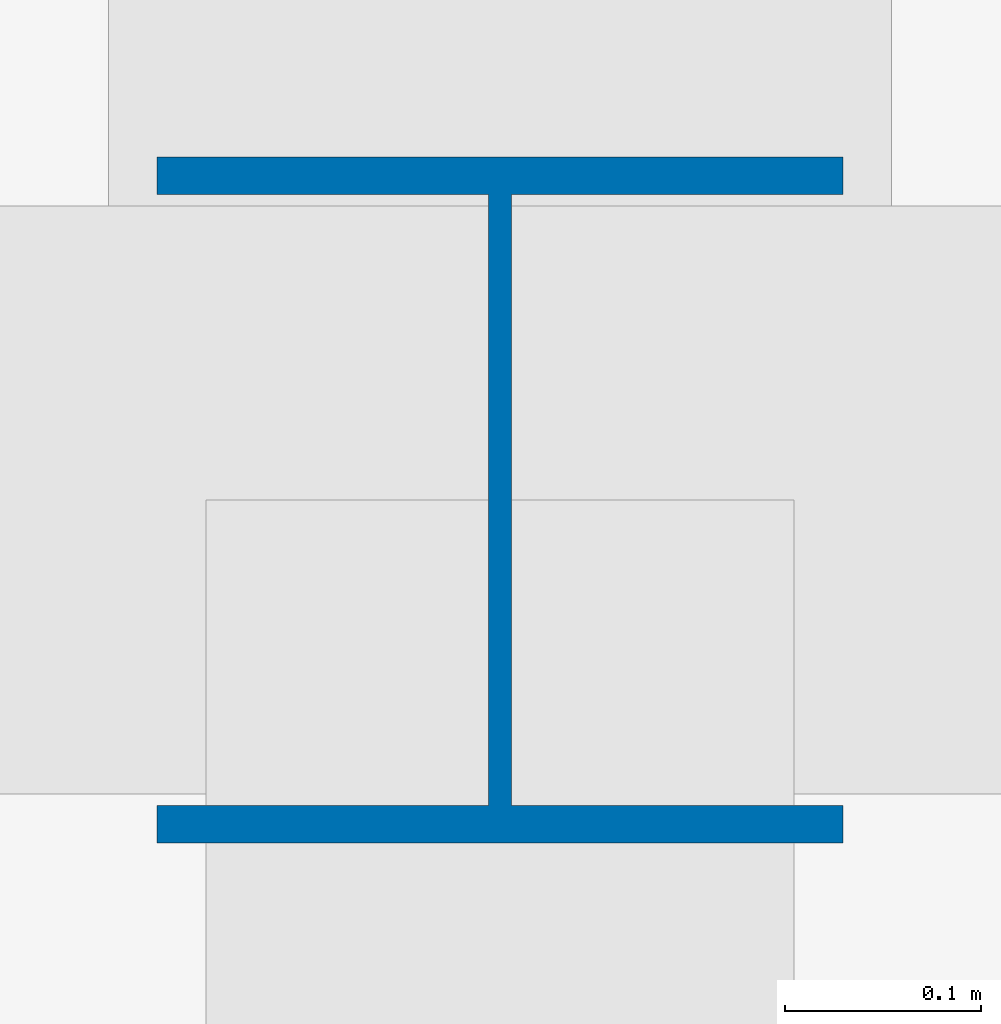
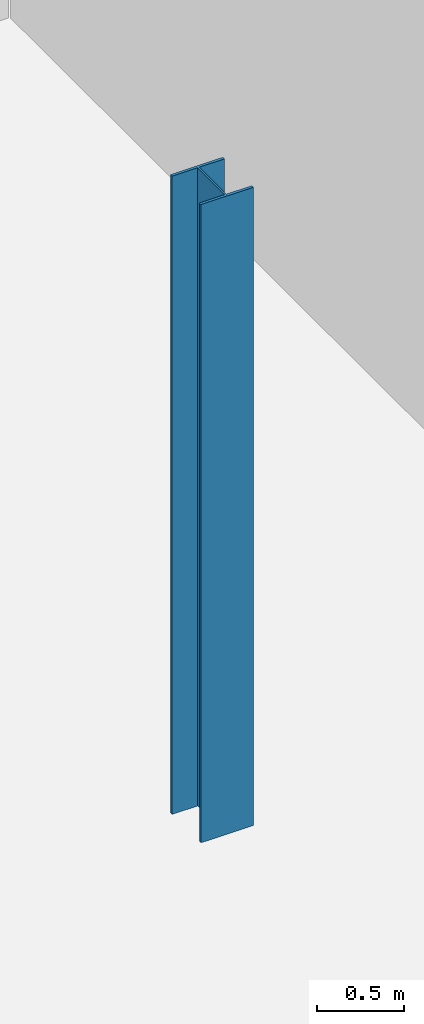
# One storey, part 2 of 25: 1 column.
"""IFC4 building model written with IfcOpenShell, lengths in metres."""

import ifcopenshell
import ifcopenshell.guid

model = None  # the IFC model being written
_history = None  # IfcOwnerHistory: only IFC2X3 demands one
_inside = {}  # id of a spatial element -> (the spatial element, [elements in it])
_under = {}  # id of a project, library or spatial element -> (it, [spatial elements below it])
_declared = {}  # id of a project -> (the project, [libraries it declares])
_typed = {}  # id of a type object -> (the type object, [elements of that type])
_made_of = {}  # id of a material, layer set ... -> (it, [elements and type objects made of it])


def new_model(schema):
    """Start an empty IFC model of exactly this schema.

    Asked for "IFC4X3", IfcOpenShell would pick the latest addendum, in which some entities
    have other attributes; the version numbers below select the first issue.
    IFC2X3 requires an IfcOwnerHistory on every rooted entity: one is made here for all.
    """
    global model, _history
    if schema == "IFC4X3":
        model = ifcopenshell.file(schema_version=(4, 3, 0, 0))
    else:
        model = ifcopenshell.file(schema=schema)
    _inside.clear()
    _under.clear()
    _declared.clear()
    _typed.clear()
    _made_of.clear()
    _history = None
    if model.schema == "IFC2X3":
        org = make("IfcOrganization", Name="unknown")
        user = make(
            "IfcPersonAndOrganization",
            ThePerson=make("IfcPerson", FamilyName="unknown"),
            TheOrganization=org,
        )
        app = make(
            "IfcApplication",
            ApplicationDeveloper=org,
            Version="unknown",
            ApplicationFullName="unknown",
            ApplicationIdentifier="unknown",
        )
        _history = make(
            "IfcOwnerHistory",
            OwningUser=user,
            OwningApplication=app,
            ChangeAction="ADDED",
            CreationDate=0,
        )
    return model


def make(cls, **values):
    """One entity of the class cls with the attributes given. An attribute that is None is left unset."""
    return model.create_entity(
        cls, **{name: value for name, value in values.items() if value is not None}
    )


def rooted(cls, **values):
    """An entity with a GlobalId (a new one), such as an element, a storey or a relation."""
    return make(cls, GlobalId=ifcopenshell.guid.new(), OwnerHistory=_history, **values)


def si_unit(unit_type, name, prefix=None):
    """IfcSIUnit, for example si_unit("LENGTHUNIT", "METRE", prefix="MILLI")."""
    return make("IfcSIUnit", UnitType=unit_type, Prefix=prefix, Name=name)


def assignment(units):
    """IfcUnitAssignment: the units of a project."""
    return None if units is None else make("IfcUnitAssignment", Units=units)


def point(xyz):
    """IfcCartesianPoint."""
    return None if xyz is None else make("IfcCartesianPoint", Coordinates=xyz)


def direction(xyz):
    """IfcDirection."""
    return None if xyz is None else make("IfcDirection", DirectionRatios=xyz)


def frame(location, z_axis=None, x_axis=None):
    """IfcAxis2Placement3D, a coordinate frame: its origin and axes. An axis left out is left unset."""
    return make(
        "IfcAxis2Placement3D",
        Location=point(location),
        Axis=direction(z_axis),
        RefDirection=direction(x_axis),
    )


def frame_2d(location, x_axis=None):
    """IfcAxis2Placement2D, a coordinate frame in the plane: its origin and x axis."""
    return make(
        "IfcAxis2Placement2D", Location=point(location), RefDirection=direction(x_axis)
    )


def origin():
    """The frame at (0, 0, 0) with its axes left unset."""
    return frame((0.0, 0.0, 0.0))


def origin_2d():
    """The frame at (0, 0) in the plane with its x axis left unset."""
    return frame_2d((0.0, 0.0))


def place(relative_to, where):
    """IfcLocalPlacement: puts the frame where relative to a parent placement (None: the world)."""
    return make(
        "IfcLocalPlacement", PlacementRelTo=relative_to, RelativePlacement=where
    )


def context(
    kind, dimensions, precision=None, world=None, true_north=None, identifier=None
):
    """IfcGeometricRepresentationContext, for example the 3D "Model" context."""
    return make(
        "IfcGeometricRepresentationContext",
        ContextIdentifier=identifier,
        ContextType=kind,
        CoordinateSpaceDimension=dimensions,
        Precision=precision,
        WorldCoordinateSystem=world,
        TrueNorth=true_north,
    )


def subcontext(parent, identifier, kind, view, scale=None):
    """IfcGeometricRepresentationSubContext, for example "Body" below "Model"."""
    return make(
        "IfcGeometricRepresentationSubContext",
        ContextIdentifier=identifier,
        ContextType=kind,
        ParentContext=parent,
        TargetScale=scale,
        TargetView=view,
    )


def project(units=None, contexts=None):
    """IfcProject with its units and contexts."""
    return rooted(
        "IfcProject",
        Name="project",
        RepresentationContexts=contexts,
        UnitsInContext=assignment(units),
    )


def spatial(cls, under=None, at=None, **own):
    """A site, building, storey or space (cls), placed at a placement, below another one or the project."""
    s = rooted(cls, ObjectPlacement=at, **own)
    if under is not None:
        _under.setdefault(under.id(), (under, []))[1].append(s)
    return s


def profile(cls, at=None, kind="AREA", **sizes):
    """A parametric profile (cls). Its sizes go by their IFC names, for example OverallWidth=200.0."""
    return make(cls, ProfileType=kind, Position=at, **sizes)


def i_section(**sizes):
    """IfcIShapeProfileDef."""
    return profile("IfcIShapeProfileDef", **sizes)


def extrude(swept, where, along, depth):
    """IfcExtrudedAreaSolid: the profile swept, set in the frame where, extruded along a direction by depth."""
    return make(
        "IfcExtrudedAreaSolid",
        SweptArea=swept,
        Position=where,
        ExtrudedDirection=direction(along),
        Depth=depth,
    )


def shape(context_of_items, identifier, shape_type, items):
    """IfcShapeRepresentation: the items that make up one representation, for example the "Body"."""
    return make(
        "IfcShapeRepresentation",
        ContextOfItems=context_of_items,
        RepresentationIdentifier=identifier,
        RepresentationType=shape_type,
        Items=items,
    )


def source(mapping_origin, context_of_items, identifier, shape_type, items):
    """IfcRepresentationMap: a shape defined once, which mapped items show again and again."""
    return make(
        "IfcRepresentationMap",
        MappingOrigin=mapping_origin,
        MappedRepresentation=shape(context_of_items, identifier, shape_type, items),
    )


def transform(
    local_origin,
    x_axis=None,
    y_axis=None,
    z_axis=None,
    scale=None,
    scale2=None,
    scale3=None,
    uniform=True,
):
    """IfcCartesianTransformationOperator3D, or its non-uniform kind. x_axis, y_axis, z_axis: its Axis1, 2, 3."""
    if uniform:
        return make(
            "IfcCartesianTransformationOperator3D",
            Axis1=direction(x_axis),
            Axis2=direction(y_axis),
            LocalOrigin=point(local_origin),
            Scale=scale,
            Axis3=direction(z_axis),
        )
    return make(
        "IfcCartesianTransformationOperator3DnonUniform",
        Axis1=direction(x_axis),
        Axis2=direction(y_axis),
        LocalOrigin=point(local_origin),
        Scale=scale,
        Axis3=direction(z_axis),
        Scale2=scale2,
        Scale3=scale3,
    )


def mapped(mapping_source, mapping_target):
    """IfcMappedItem: shows the shape of a source again, moved by a transform."""
    return make(
        "IfcMappedItem", MappingSource=mapping_source, MappingTarget=mapping_target
    )


def material(Name=None, Category=None):
    """IfcMaterial."""
    return make("IfcMaterial", Name=Name, Category=Category)


def material_profile(
    of_material, cross_section, Name=None, Category=None, Priority=None
):
    """IfcMaterialProfile: a cross section and its material."""
    return make(
        "IfcMaterialProfile",
        Name=Name,
        Material=of_material,
        Profile=cross_section,
        Priority=Priority,
        Category=Category,
    )


def profile_set(profiles, Name=None, composite=None):
    """IfcMaterialProfileSet."""
    return make(
        "IfcMaterialProfileSet",
        Name=Name,
        MaterialProfiles=profiles,
        CompositeProfile=composite,
    )


def made_of(thing, what):
    """Note that an element or type object is made of a material, layer set ...; save() writes the relation."""
    if what is not None:
        _made_of.setdefault(what.id(), (what, []))[1].append(thing)
    return thing


def type_object(cls, material=None, **own):
    """A type object (cls), such as IfcWallType, which elements share."""
    return made_of(rooted(cls, **own), material)


def type_shapes(of_type, sources):
    """Give a type object the sources (RepresentationMaps) that its elements show as mapped items."""
    of_type.RepresentationMaps = sources


def element(
    cls,
    number,
    at=None,
    inside=None,
    cuts=None,
    type_object=None,
    material=None,
    context=None,
    identifier="Body",
    shape_type=None,
    held_by="IfcProductDefinitionShape",
    body=None,
    shapes=None,
    **own,
):
    """One element of the class cls, such as IfcWall. Its Tag is "e" and its number.

    at: its placement. inside: the storey or other place that contains it. cuts: it is an
    opening in that element (IfcRelVoidsElement). A single representation is given by context,
    identifier, shape_type and body (its items); several are given by shapes. held_by: the class
    of the entity that holds the representations. save() writes the other relations.
    """
    e = rooted(cls, Tag="e%d" % number, ObjectPlacement=at, **own)
    if body is not None:
        shapes = [shape(context, identifier, shape_type, body)]
    if shapes is not None:
        e.Representation = make(held_by, Representations=shapes)
    if inside is not None:
        _inside.setdefault(inside.id(), (inside, []))[1].append(e)
    if cuts is not None:
        rooted(
            "IfcRelVoidsElement", RelatingBuildingElement=cuts, RelatedOpeningElement=e
        )
    if type_object is not None:
        _typed.setdefault(type_object.id(), (type_object, []))[1].append(e)
    return made_of(e, material)


def aggregate(whole, parts):
    """IfcRelAggregates: a whole, such as a stair, and the parts it consists of."""
    return rooted("IfcRelAggregates", RelatingObject=whole, RelatedObjects=parts)


def save(model, path):
    """Write the relations noted so far, then the file.

    IfcRelAggregates (storeys below a building ...), IfcRelContainedInSpatialStructure (elements
    in a storey), IfcRelDefinesByType, IfcRelAssociatesMaterial and IfcRelDeclares: one each for
    every whole, place, type object, material and project.
    """
    for whole, parts in _under.values():
        aggregate(whole, parts)
    for where, things in _inside.values():
        rooted(
            "IfcRelContainedInSpatialStructure",
            RelatedElements=things,
            RelatingStructure=where,
        )
    for kind, things in _typed.values():
        rooted("IfcRelDefinesByType", RelatedObjects=things, RelatingType=kind)
    for what, things in _made_of.values():
        rooted("IfcRelAssociatesMaterial", RelatedObjects=things, RelatingMaterial=what)
    for by, libraries in _declared.values():
        rooted("IfcRelDeclares", RelatingContext=by, RelatedDefinitions=libraries)
    model.write(path)


model = new_model("IFC4")

# Units and contexts
model_context = context("Model", 3, precision=1e-05, world=origin(), true_north=direction((0.0, 1.0)))
body_context = subcontext(model_context, "Body", "Model", "MODEL_VIEW")
ifc_project = project(units=[si_unit("LENGTHUNIT", "METRE"), si_unit("AREAUNIT", "SQUARE_METRE"), si_unit("VOLUMEUNIT", "CUBIC_METRE"), si_unit("PLANEANGLEUNIT", "RADIAN"), si_unit("MASSUNIT", "GRAM", prefix="KILO")], contexts=[model_context])

# Site, building, storey
site_placement = place(None, origin())
site = spatial("IfcSite", under=ifc_project, at=site_placement, CompositionType="ELEMENT")
building_placement = place(site_placement, origin())
building = spatial("IfcBuilding", under=site, at=building_placement, Name="Seokmaru Belvedere", CompositionType="ELEMENT")
storey_placement = place(building_placement, frame((0.0, 0.0, 5.39990234375)))
storey = spatial("IfcBuildingStorey", under=building, at=storey_placement, Name="L01", CompositionType="ELEMENT", Elevation=5.39990234375)

# Column
ifc_material = material(Name="Steel SM355 (355 MPa)", Category="steel")
ifc_material_profile = material_profile(ifc_material, i_section(OverallWidth=0.35009765625, OverallDepth=0.35009765625, WebThickness=0.011962890625, FlangeThickness=0.01904296875, at=origin_2d()), Name="H-350x350x12x19")
ifc_profile_set = profile_set([ifc_material_profile], Name="Steel SM355 (355 MPa)")
column_type = type_object("IfcColumnType", Name="Podium Gallery Column H-350", PredefinedType="COLUMN", material=ifc_profile_set)
shared_shape = source(origin(), body_context, "Body", "SweptSolid", [
    extrude(i_section(OverallWidth=0.35009765625, OverallDepth=0.35009765625, WebThickness=0.011962890625, FlangeThickness=0.01904296875, at=origin_2d()), origin(), (0.0, 0.0, 1.0), 4.5),
])
type_shapes(column_type, [shared_shape])
column_placement = place(storey_placement, frame((-16.5, -9.0, 0.0), z_axis=(0.0, 0.0, 1.0), x_axis=(1.0, 0.0, 0.0)))
element("IfcColumn", 1, at=column_placement, inside=storey, type_object=column_type, Name="L01 Column CP1_3", PredefinedType="COLUMN", context=body_context, shape_type="MappedRepresentation", body=[
    mapped(shared_shape, transform((0.0, 0.0, 0.0), scale=1.0)),
])

save(model, "model.ifc")
